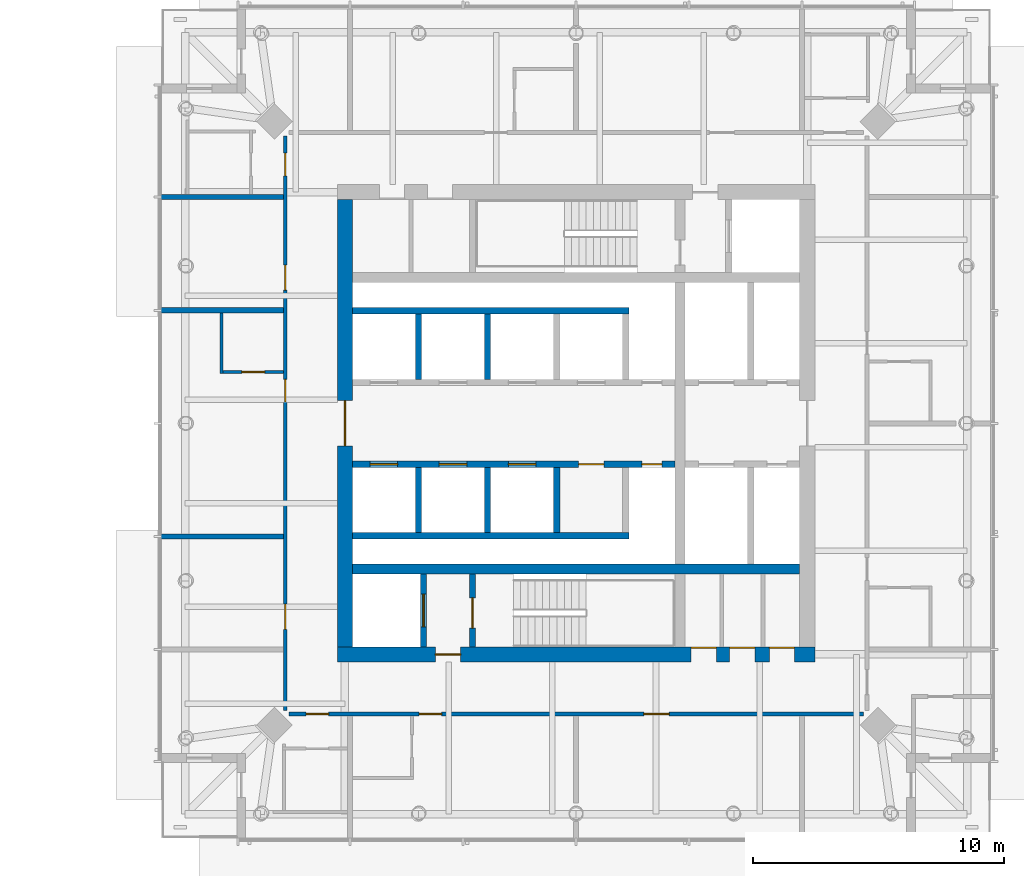
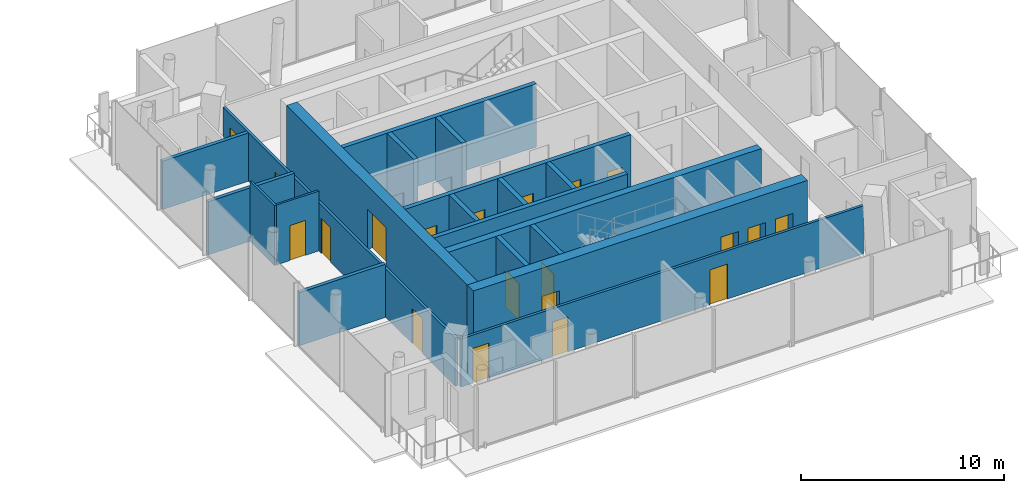
# One storey, part 13 of 20: 20 doors, 20 walls, 20 openings.
"""IFC4 building model written with IfcOpenShell, lengths in metres."""

from ifc_helpers import new_model, si_unit, direction, frame, frame_2d, origin, place, context, subcontext, project, spatial, rectangle, extrude, material, layer, layer_set, type_object, element, fill, save


model = new_model("IFC4")

# Units and contexts
model_context = context("Model", 3, precision=1e-05, world=origin(), true_north=direction((0.0, 1.0)))
body_context = subcontext(model_context, "Body", "Model", "MODEL_VIEW")
ifc_project = project(units=[si_unit("LENGTHUNIT", "METRE"), si_unit("AREAUNIT", "SQUARE_METRE"), si_unit("VOLUMEUNIT", "CUBIC_METRE"), si_unit("PLANEANGLEUNIT", "RADIAN"), si_unit("MASSUNIT", "GRAM", prefix="KILO")], contexts=[model_context])

# Site, building, storey
site_placement = place(None, origin())
site = spatial("IfcSite", under=ifc_project, at=site_placement, CompositionType="ELEMENT")
building_placement = place(site_placement, origin())
building = spatial("IfcBuilding", under=site, at=building_placement, Name="Ostroluk Exchange", CompositionType="ELEMENT")
storey_placement = place(building_placement, frame((0.0, 0.0, 100.800048828125)))
storey = spatial("IfcBuildingStorey", under=building, at=storey_placement, Name="L25", CompositionType="ELEMENT", Elevation=100.800048828125)

# Wall
ifc_material_1 = material(Name="Concrete C50/60", Category="concrete")
ifc_layer_1 = layer(ifc_material_1, 0.39990234375)
ifc_layer_set_1 = layer_set([ifc_layer_1], Name="Core cross wall 400 C50/60")
wall_type_1 = type_object("IfcWallType", Name="Core cross wall 400 C50/60", PredefinedType="SHEAR", material=ifc_layer_set_1)
wall_1_placement = place(storey_placement, frame((108.10009765625, 40.199951171875, 0.0), z_axis=(0.0, 0.0, 1.0), x_axis=(1.0, 0.0, 0.0)))
element("IfcWall", 1, at=wall_1_placement, inside=storey, type_object=wall_type_1, Name="T2 core wall XS", PredefinedType="SHEAR", context=body_context, shape_type="SweptSolid", body=[
    extrude(rectangle(XDim=17.7998046875, YDim=0.39990234375, at=frame_2d((8.89990234375, 0.0))), origin(), (0.0, 0.0, 1.0), 3.800048828125),
])

# Wall, opening, door
ifc_material_2 = material(Name="Concrete C40/50", Category="concrete")
ifc_layer_2 = layer(ifc_material_2, 0.25)
ifc_layer_set_2 = layer_set([ifc_layer_2], Name="Core shaft wall 250")
wall_type_2 = type_object("IfcWallType", Name="Core shaft wall 250", PredefinedType="SHEAR", material=ifc_layer_set_2)
wall_2_placement = place(storey_placement, frame((110.925048828125, 37.10009765625, 0.0), z_axis=(0.0, 0.0, 1.0), x_axis=(0.0, 1.0, 0.0)))
wall_2 = element("IfcWall", 2, at=wall_2_placement, inside=storey, type_object=wall_type_2, Name="Firefighting lift shaft wall", PredefinedType="SHEAR", context=body_context, shape_type="SweptSolid", body=[
    extrude(rectangle(XDim=2.89990234375, YDim=0.25, at=frame_2d((1.449951171875, 0.0))), origin(), (0.0, 0.0, 1.0), 3.800048828125),
])
opening_1_placement = place(wall_2_placement, frame((0.800048828125, 0.0, 0.0)))
opening_1 = element("IfcOpeningElement", 3, at=opening_1_placement, cuts=wall_2, Name="Opening LD2", PredefinedType="OPENING", context=body_context, shape_type="SweptSolid", body=[
    extrude(rectangle(XDim=1.300048828125, YDim=2.199951171875, at=frame_2d((0.64990234375, 1.10009765625))), frame((0.0, 0.135009765625, 0.0), z_axis=(0.0, -1.0, 0.0), x_axis=(1.0, 0.0, 0.0)), (0.0, 0.0, 1.0), 0.27001953125),
])
ifc_material_3 = material(Name="Stainless steel", Category="steel")
door_type_1 = type_object("IfcDoorType", Name="Lift landing door E 60 1300 x 2200", OperationType="DOUBLE_DOOR_SLIDING", PredefinedType="DOOR", material=ifc_material_3)
door_1_placement = place(opening_1_placement, origin())
door_1 = element("IfcDoor", 4, at=door_1_placement, inside=storey, type_object=door_type_1, Name="Lift HF1 landing door", OperationType="DOUBLE_DOOR_SLIDING", OverallHeight=2.199951171875, OverallWidth=1.300048828125, PredefinedType="DOOR", context=body_context, shape_type="SweptSolid", body=[
    extrude(rectangle(XDim=1.300048828125, YDim=2.199951171875, at=frame_2d((0.64990234375, 1.10009765625))), frame((0.0, 0.02490234375, 0.0), z_axis=(0.0, -1.0, 0.0), x_axis=(1.0, 0.0, 0.0)), (0.0, 0.0, 1.0), 0.050048828125),
])
fill(opening_1, door_1)

wall_3_placement = place(storey_placement, frame((112.875, 37.10009765625, 0.0), z_axis=(0.0, 0.0, 1.0), x_axis=(0.0, 1.0, 0.0)))
wall_3 = element("IfcWall", 5, at=wall_3_placement, inside=storey, type_object=wall_type_2, Name="Stair shaft wall", PredefinedType="SHEAR", context=body_context, shape_type="SweptSolid", body=[
    extrude(rectangle(XDim=2.89990234375, YDim=0.25, at=frame_2d((1.449951171875, 0.0))), origin(), (0.0, 0.0, 1.0), 3.800048828125),
])
opening_2_placement = place(wall_3_placement, frame((0.75, 0.0, 0.0)))
opening_2 = element("IfcOpeningElement", 6, at=opening_2_placement, cuts=wall_3, Name="Opening FD60S", PredefinedType="OPENING", context=body_context, shape_type="SweptSolid", body=[
    extrude(rectangle(XDim=1.199951171875, YDim=2.10009765625, at=frame_2d((0.60009765625, 1.050048828125))), frame((0.0, 0.135009765625, 0.0), z_axis=(0.0, -1.0, 0.0), x_axis=(1.0, 0.0, 0.0)), (0.0, 0.0, 1.0), 0.27001953125),
])
ifc_material_4 = material(Name="Steel", Category="steel")
door_type_2 = type_object("IfcDoorType", Name="Stair door EI 60 1200 x 2100", OperationType="SINGLE_SWING_LEFT", PredefinedType="DOOR", material=ifc_material_4)
door_2_placement = place(opening_2_placement, origin())
door_2 = element("IfcDoor", 7, at=door_2_placement, inside=storey, type_object=door_type_2, Name="Stair T2-S1 door", OperationType="SINGLE_SWING_LEFT", OverallHeight=2.10009765625, OverallWidth=1.199951171875, PredefinedType="DOOR", context=body_context, shape_type="SweptSolid", body=[
    extrude(rectangle(XDim=1.199951171875, YDim=2.10009765625, at=frame_2d((0.60009765625, 1.050048828125))), frame((0.0, 0.02490234375, 0.0), z_axis=(0.0, -1.0, 0.0), x_axis=(1.0, 0.0, 0.0)), (0.0, 0.0, 1.0), 0.050048828125),
])
fill(opening_2, door_2)

# Walls
for number, where, z_axis, x_axis, name in (
    (8, (110.72509765625, 47.75, 0.0), (0.0, 0.0, 1.0), (0.0, 1.0, 0.0), "Lift shaft wall"),
    (9, (113.47509765625, 47.75, 0.0), (0.0, 0.0, 1.0), (0.0, 1.0, 0.0), "Lift shaft wall"),
):
    element("IfcWall", number, at=place(storey_placement, frame(where, z_axis=z_axis, x_axis=x_axis)), inside=storey, type_object=wall_type_2, Name=name, PredefinedType="SHEAR", context=body_context, shape_type="SweptSolid", body=[
        extrude(rectangle(XDim=2.60009765625, YDim=0.25, at=frame_2d((1.300048828125, 0.0))), origin(), (0.0, 0.0, 1.0), 3.800048828125),
    ])
wall_4_placement = place(storey_placement, frame((108.10009765625, 50.47509765625, 0.0), z_axis=(0.0, 0.0, 1.0), x_axis=(1.0, 0.0, 0.0)))
element("IfcWall", 10, at=wall_4_placement, inside=storey, type_object=wall_type_2, Name="Lift shaft wall", PredefinedType="SHEAR", context=body_context, shape_type="SweptSolid", body=[
    extrude(rectangle(XDim=11.0, YDim=0.25, at=frame_2d((5.5, 0.0))), origin(), (0.0, 0.0, 1.0), 3.800048828125),
])
for number, where, z_axis, x_axis, name in (
    (11, (110.72509765625, 44.25, 0.0), (0.0, 0.0, 1.0), (0.0, -1.0, 0.0), "Lift shaft wall"),
    (12, (113.47509765625, 44.25, 0.0), (0.0, 0.0, 1.0), (0.0, -1.0, 0.0), "Lift shaft wall"),
    (13, (116.22509765625, 44.25, 0.0), (0.0, 0.0, 1.0), (0.0, -1.0, 0.0), "Lift shaft wall"),
):
    element("IfcWall", number, at=place(storey_placement, frame(where, z_axis=z_axis, x_axis=x_axis)), inside=storey, type_object=wall_type_2, Name=name, PredefinedType="SHEAR", context=body_context, shape_type="SweptSolid", body=[
        extrude(rectangle(XDim=2.60009765625, YDim=0.25, at=frame_2d((1.300048828125, 0.0))), origin(), (0.0, 0.0, 1.0), 3.800048828125),
    ])
wall_5_placement = place(storey_placement, frame((108.10009765625, 41.52490234375, 0.0), z_axis=(0.0, 0.0, 1.0), x_axis=(1.0, 0.0, 0.0)))
element("IfcWall", 14, at=wall_5_placement, inside=storey, type_object=wall_type_2, Name="Lift shaft wall", PredefinedType="SHEAR", context=body_context, shape_type="SweptSolid", body=[
    extrude(rectangle(XDim=11.0, YDim=0.25, at=frame_2d((5.5, 0.0))), origin(), (0.0, 0.0, 1.0), 3.800048828125),
])

# Wall, openings, doors
wall_6_placement = place(storey_placement, frame((108.10009765625, 44.375, 0.0), z_axis=(0.0, 0.0, 1.0), x_axis=(1.0, 0.0, 0.0)))
wall_6 = element("IfcWall", 15, at=wall_6_placement, inside=storey, type_object=wall_type_2, Name="Lift shaft front wall", PredefinedType="SHEAR", context=body_context, shape_type="SweptSolid", body=[
    extrude(rectangle(XDim=12.829833984375, YDim=0.25, at=frame_2d((6.4150390625, 0.0))), origin(), (0.0, 0.0, 1.0), 3.800048828125),
])
opening_3_placement = place(wall_6_placement, frame((0.699951171875, 0.0, 0.0)))
opening_3 = element("IfcOpeningElement", 16, at=opening_3_placement, cuts=wall_6, Name="Opening LD", PredefinedType="OPENING", context=body_context, shape_type="SweptSolid", body=[
    extrude(rectangle(XDim=1.10009765625, YDim=2.199951171875, at=frame_2d((0.550048828125, 1.10009765625))), frame((0.0, 0.135009765625, 0.0), z_axis=(0.0, -1.0, 0.0), x_axis=(1.0, 0.0, 0.0)), (0.0, 0.0, 1.0), 0.27001953125),
])
opening_4_placement = place(wall_6_placement, frame((3.449951171875, 0.0, 0.0)))
opening_4 = element("IfcOpeningElement", 17, at=opening_4_placement, cuts=wall_6, Name="Opening LD", PredefinedType="OPENING", context=body_context, shape_type="SweptSolid", body=[
    extrude(rectangle(XDim=1.10009765625, YDim=2.199951171875, at=frame_2d((0.550048828125, 1.10009765625))), frame((0.0, 0.135009765625, 0.0), z_axis=(0.0, -1.0, 0.0), x_axis=(1.0, 0.0, 0.0)), (0.0, 0.0, 1.0), 0.27001953125),
])
opening_5_placement = place(wall_6_placement, frame((6.199951171875, 0.0, 0.0)))
opening_5 = element("IfcOpeningElement", 18, at=opening_5_placement, cuts=wall_6, Name="Opening LD", PredefinedType="OPENING", context=body_context, shape_type="SweptSolid", body=[
    extrude(rectangle(XDim=1.10009765625, YDim=2.199951171875, at=frame_2d((0.550048828125, 1.10009765625))), frame((0.0, 0.135009765625, 0.0), z_axis=(0.0, -1.0, 0.0), x_axis=(1.0, 0.0, 0.0)), (0.0, 0.0, 1.0), 0.27001953125),
])
opening_6_placement = place(wall_6_placement, frame((9.0, 0.0, 0.0)))
opening_6 = element("IfcOpeningElement", 19, at=opening_6_placement, cuts=wall_6, Name="Opening FD60", PredefinedType="OPENING", context=body_context, shape_type="SweptSolid", body=[
    extrude(rectangle(XDim=1.0, YDim=2.10009765625, at=frame_2d((0.5, 1.050048828125))), frame((0.0, 0.135009765625, 0.0), z_axis=(0.0, -1.0, 0.0), x_axis=(1.0, 0.0, 0.0)), (0.0, 0.0, 1.0), 0.27001953125),
])
opening_7_placement = place(wall_6_placement, frame((11.514892578125, 0.0, 0.0)))
opening_7 = element("IfcOpeningElement", 20, at=opening_7_placement, cuts=wall_6, Name="Opening RD60", PredefinedType="OPENING", context=body_context, shape_type="SweptSolid", body=[
    extrude(rectangle(XDim=0.800048828125, YDim=2.0, at=frame_2d((0.39990234375, 1.0))), frame((0.0, 0.135009765625, 0.0), z_axis=(0.0, -1.0, 0.0), x_axis=(1.0, 0.0, 0.0)), (0.0, 0.0, 1.0), 0.27001953125),
])
ifc_material_5 = material(Name="Steel", Category="steel")
door_type_3 = type_object("IfcDoorType", Name="Fire door EI 60 1000 x 2100", OperationType="SINGLE_SWING_LEFT", PredefinedType="DOOR", material=ifc_material_5)
door_3_placement = place(opening_6_placement, origin())
door_3 = element("IfcDoor", 21, at=door_3_placement, inside=storey, type_object=door_type_3, Name="Core room door", OperationType="SINGLE_SWING_RIGHT", OverallHeight=2.10009765625, OverallWidth=1.0, PredefinedType="DOOR", context=body_context, shape_type="SweptSolid", body=[
    extrude(rectangle(XDim=1.0, YDim=2.10009765625, at=frame_2d((0.5, 1.050048828125))), frame((0.0, 0.02490234375, 0.0), z_axis=(0.0, -1.0, 0.0), x_axis=(1.0, 0.0, 0.0)), (0.0, 0.0, 1.0), 0.050048828125),
])
fill(opening_6, door_3)
ifc_material_6 = material(Name="Stainless steel", Category="steel")
door_type_4 = type_object("IfcDoorType", Name="Lift landing door E 60 1100 x 2200", OperationType="DOUBLE_DOOR_SLIDING", PredefinedType="DOOR", material=ifc_material_6)
door_4_placement = place(opening_3_placement, origin())
door_4 = element("IfcDoor", 22, at=door_4_placement, inside=storey, type_object=door_type_4, Name="Lift HL5 landing door", OperationType="DOUBLE_DOOR_SLIDING", OverallHeight=2.199951171875, OverallWidth=1.10009765625, PredefinedType="DOOR", context=body_context, shape_type="SweptSolid", body=[
    extrude(rectangle(XDim=1.10009765625, YDim=2.199951171875, at=frame_2d((0.550048828125, 1.10009765625))), frame((0.0, 0.02490234375, 0.0), z_axis=(0.0, -1.0, 0.0), x_axis=(1.0, 0.0, 0.0)), (0.0, 0.0, 1.0), 0.050048828125),
])
fill(opening_3, door_4)
door_5_placement = place(opening_4_placement, origin())
door_5 = element("IfcDoor", 23, at=door_5_placement, inside=storey, type_object=door_type_4, Name="Lift HL6 landing door", OperationType="DOUBLE_DOOR_SLIDING", OverallHeight=2.199951171875, OverallWidth=1.10009765625, PredefinedType="DOOR", context=body_context, shape_type="SweptSolid", body=[
    extrude(rectangle(XDim=1.10009765625, YDim=2.199951171875, at=frame_2d((0.550048828125, 1.10009765625))), frame((0.0, 0.02490234375, 0.0), z_axis=(0.0, -1.0, 0.0), x_axis=(1.0, 0.0, 0.0)), (0.0, 0.0, 1.0), 0.050048828125),
])
fill(opening_4, door_5)
door_6_placement = place(opening_5_placement, origin())
door_6 = element("IfcDoor", 24, at=door_6_placement, inside=storey, type_object=door_type_4, Name="Lift HL7 landing door", OperationType="DOUBLE_DOOR_SLIDING", OverallHeight=2.199951171875, OverallWidth=1.10009765625, PredefinedType="DOOR", context=body_context, shape_type="SweptSolid", body=[
    extrude(rectangle(XDim=1.10009765625, YDim=2.199951171875, at=frame_2d((0.550048828125, 1.10009765625))), frame((0.0, 0.02490234375, 0.0), z_axis=(0.0, -1.0, 0.0), x_axis=(1.0, 0.0, 0.0)), (0.0, 0.0, 1.0), 0.050048828125),
])
fill(opening_5, door_6)
ifc_material_7 = material(Name="Steel", Category="steel")
door_type_5 = type_object("IfcDoorType", Name="Riser access door EI 60 800 x 2000", OperationType="SINGLE_SWING_LEFT", PredefinedType="DOOR", material=ifc_material_7)
door_7_placement = place(opening_7_placement, origin())
door_7 = element("IfcDoor", 25, at=door_7_placement, inside=storey, type_object=door_type_5, Name="Riser access door", OperationType="SINGLE_SWING_RIGHT", OverallHeight=2.0, OverallWidth=0.800048828125, PredefinedType="DOOR", context=body_context, shape_type="SweptSolid", body=[
    extrude(rectangle(XDim=0.800048828125, YDim=2.0, at=frame_2d((0.39990234375, 1.0))), frame((0.0, 0.02490234375, 0.0), z_axis=(0.0, -1.0, 0.0), x_axis=(1.0, 0.0, 0.0)), (0.0, 0.0, 1.0), 0.050048828125),
])
fill(opening_7, door_7)

ifc_material_8 = material(Name="Concrete C50/60", Category="concrete")
ifc_layer_3 = layer(ifc_material_8, 0.60009765625)
ifc_layer_set_3 = layer_set([ifc_layer_3], Name="Core wall 600 C50/60")
wall_type_3 = type_object("IfcWallType", Name="Core wall 600 C50/60", PredefinedType="SHEAR", material=ifc_layer_set_3)
wall_7_placement = place(storey_placement, frame((107.5, 36.800048828125, 0.0), z_axis=(0.0, 0.0, 1.0), x_axis=(1.0, 0.0, 0.0)))
wall_7 = element("IfcWall", 26, at=wall_7_placement, inside=storey, type_object=wall_type_3, Name="T2 core wall S", PredefinedType="SHEAR", context=body_context, shape_type="SweptSolid", body=[
    extrude(rectangle(XDim=19.0, YDim=0.60009765625, at=frame_2d((9.5, 0.0))), origin(), (0.0, 0.0, 1.0), 3.800048828125),
])
opening_8_placement = place(wall_7_placement, frame((3.89990234375, 0.0, 0.0)))
opening_8 = element("IfcOpeningElement", 27, at=opening_8_placement, cuts=wall_7, Name="Opening FD60", PredefinedType="OPENING", context=body_context, shape_type="SweptSolid", body=[
    extrude(rectangle(XDim=1.0, YDim=2.10009765625, at=frame_2d((0.5, 1.050048828125))), frame((0.0, 0.31005859375, 0.0), z_axis=(0.0, -1.0, 0.0), x_axis=(1.0, 0.0, 0.0)), (0.0, 0.0, 1.0), 0.6201171875),
])
opening_9_placement = place(wall_7_placement, frame((14.080078125, 0.0, 0.0)))
opening_9 = element("IfcOpeningElement", 28, at=opening_9_placement, cuts=wall_7, Name="Opening FD60", PredefinedType="OPENING", context=body_context, shape_type="SweptSolid", body=[
    extrude(rectangle(XDim=1.0, YDim=2.10009765625, at=frame_2d((0.5, 1.050048828125))), frame((0.0, 0.31005859375, 0.0), z_axis=(0.0, -1.0, 0.0), x_axis=(1.0, 0.0, 0.0)), (0.0, 0.0, 1.0), 0.6201171875),
])
opening_10_placement = place(wall_7_placement, frame((15.614990234375, 0.0, 0.0)))
opening_10 = element("IfcOpeningElement", 29, at=opening_10_placement, cuts=wall_7, Name="Opening FD60", PredefinedType="OPENING", context=body_context, shape_type="SweptSolid", body=[
    extrude(rectangle(XDim=1.0, YDim=2.10009765625, at=frame_2d((0.5, 1.050048828125))), frame((0.0, 0.31005859375, 0.0), z_axis=(0.0, -1.0, 0.0), x_axis=(1.0, 0.0, 0.0)), (0.0, 0.0, 1.0), 0.6201171875),
])
opening_11_placement = place(wall_7_placement, frame((17.1875, 0.0, 0.0)))
opening_11 = element("IfcOpeningElement", 30, at=opening_11_placement, cuts=wall_7, Name="Opening FD60", PredefinedType="OPENING", context=body_context, shape_type="SweptSolid", body=[
    extrude(rectangle(XDim=1.0, YDim=2.10009765625, at=frame_2d((0.5, 1.050048828125))), frame((0.0, 0.31005859375, 0.0), z_axis=(0.0, -1.0, 0.0), x_axis=(1.0, 0.0, 0.0)), (0.0, 0.0, 1.0), 0.6201171875),
])
door_8_placement = place(opening_8_placement, origin())
door_8 = element("IfcDoor", 31, at=door_8_placement, inside=storey, type_object=door_type_3, Name="Firefighting lobby door", OperationType="SINGLE_SWING_LEFT", OverallHeight=2.10009765625, OverallWidth=1.0, PredefinedType="DOOR", context=body_context, shape_type="SweptSolid", body=[
    extrude(rectangle(XDim=1.0, YDim=2.10009765625, at=frame_2d((0.5, 1.050048828125))), frame((0.0, 0.02490234375, 0.0), z_axis=(0.0, -1.0, 0.0), x_axis=(1.0, 0.0, 0.0)), (0.0, 0.0, 1.0), 0.050048828125),
])
fill(opening_8, door_8)
door_9_placement = place(opening_9_placement, origin())
door_9 = element("IfcDoor", 32, at=door_9_placement, inside=storey, type_object=door_type_3, Name="Linen store door", OperationType="SINGLE_SWING_RIGHT", OverallHeight=2.10009765625, OverallWidth=1.0, PredefinedType="DOOR", context=body_context, shape_type="SweptSolid", body=[
    extrude(rectangle(XDim=1.0, YDim=2.10009765625, at=frame_2d((0.5, 1.050048828125))), frame((0.0, 0.2900390625, 0.0), z_axis=(0.0, -1.0, 0.0), x_axis=(1.0, 0.0, 0.0)), (0.0, 0.0, 1.0), 0.050048828125),
])
fill(opening_9, door_9)
door_10_placement = place(opening_10_placement, origin())
door_10 = element("IfcDoor", 33, at=door_10_placement, inside=storey, type_object=door_type_3, Name="Housekeeping store door", OperationType="SINGLE_SWING_RIGHT", OverallHeight=2.10009765625, OverallWidth=1.0, PredefinedType="DOOR", context=body_context, shape_type="SweptSolid", body=[
    extrude(rectangle(XDim=1.0, YDim=2.10009765625, at=frame_2d((0.5, 1.050048828125))), frame((0.0, 0.2900390625, 0.0), z_axis=(0.0, -1.0, 0.0), x_axis=(1.0, 0.0, 0.0)), (0.0, 0.0, 1.0), 0.050048828125),
])
fill(opening_10, door_10)
door_11_placement = place(opening_11_placement, origin())
door_11 = element("IfcDoor", 34, at=door_11_placement, inside=storey, type_object=door_type_3, Name="Luggage store door", OperationType="SINGLE_SWING_RIGHT", OverallHeight=2.10009765625, OverallWidth=1.0, PredefinedType="DOOR", context=body_context, shape_type="SweptSolid", body=[
    extrude(rectangle(XDim=1.0, YDim=2.10009765625, at=frame_2d((0.5, 1.050048828125))), frame((0.0, 0.2900390625, 0.0), z_axis=(0.0, -1.0, 0.0), x_axis=(1.0, 0.0, 0.0)), (0.0, 0.0, 1.0), 0.050048828125),
])
fill(opening_11, door_11)

# Wall, opening, door
wall_8_placement = place(storey_placement, frame((107.800048828125, 37.10009765625, 0.0), z_axis=(0.0, 0.0, 1.0), x_axis=(0.0, 1.0, 0.0)))
wall_8 = element("IfcWall", 35, at=wall_8_placement, inside=storey, type_object=wall_type_3, Name="T2 core wall W", PredefinedType="SHEAR", context=body_context, shape_type="SweptSolid", body=[
    extrude(rectangle(XDim=17.7998046875, YDim=0.60009765625, at=frame_2d((8.89990234375, 0.0))), origin(), (0.0, 0.0, 1.0), 3.800048828125),
])
opening_12_placement = place(wall_8_placement, frame((8.0, 0.0, 0.0)))
opening_12 = element("IfcOpeningElement", 36, at=opening_12_placement, cuts=wall_8, Name="Opening FD30D", PredefinedType="OPENING", context=body_context, shape_type="SweptSolid", body=[
    extrude(rectangle(XDim=1.800048828125, YDim=2.39990234375, at=frame_2d((0.89990234375, 1.199951171875))), frame((0.0, 0.31005859375, 0.0), z_axis=(0.0, -1.0, 0.0), x_axis=(1.0, 0.0, 0.0)), (0.0, 0.0, 1.0), 0.6201171875),
])
ifc_material_9 = material(Name="Timber", Category="wood")
door_type_6 = type_object("IfcDoorType", Name="Lobby double door EI 30 1800 x 2400", OperationType="DOUBLE_DOOR_SINGLE_SWING", PredefinedType="DOOR", material=ifc_material_9)
door_12_placement = place(opening_12_placement, origin())
door_12 = element("IfcDoor", 37, at=door_12_placement, inside=storey, type_object=door_type_6, Name="Lift lobby doors", OperationType="DOUBLE_DOOR_SINGLE_SWING", OverallHeight=2.39990234375, OverallWidth=1.800048828125, PredefinedType="DOOR", context=body_context, shape_type="SweptSolid", body=[
    extrude(rectangle(XDim=1.800048828125, YDim=2.39990234375, at=frame_2d((0.89990234375, 1.199951171875))), frame((0.0, 0.02490234375, 0.0), z_axis=(0.0, -1.0, 0.0), x_axis=(1.0, 0.0, 0.0)), (0.0, 0.0, 1.0), 0.050048828125),
])
fill(opening_12, door_12)

# Wall
ifc_material_10 = material(Name="Gypsum plasterboard partition, moisture resistant", Category="gypsum")
ifc_layer_4 = layer(ifc_material_10, 0.1201171875)
ifc_layer_set_4 = layer_set([ifc_layer_4], Name="Plasterboard en-suite wall 120")
wall_type_4 = type_object("IfcWallType", Name="Plasterboard en-suite wall 120", PredefinedType="PARTITIONING", material=ifc_layer_set_4)
wall_9_placement = place(storey_placement, frame((102.889892578125, 50.39990234375, 0.0), z_axis=(0.0, 0.0, 1.0), x_axis=(0.0, -1.0, 0.0)))
element("IfcWall", 38, at=wall_9_placement, inside=storey, type_object=wall_type_4, Name="En-suite wall", PredefinedType="PARTITIONING", context=body_context, shape_type="SweptSolid", body=[
    extrude(rectangle(XDim=2.419921875, YDim=0.1201171875, at=frame_2d((1.2099609375, 0.0))), origin(), (0.0, 0.0, 1.0), 3.599853515625),
])

# Wall, opening, door
wall_10_placement = place(storey_placement, frame((105.35009765625, 48.0400390625, 0.0), z_axis=(0.0, 0.0, 1.0), x_axis=(-1.0, 0.0, 0.0)))
wall_10 = element("IfcWall", 39, at=wall_10_placement, inside=storey, type_object=wall_type_4, Name="En-suite wall", PredefinedType="PARTITIONING", context=body_context, shape_type="SweptSolid", body=[
    extrude(rectangle(XDim=2.400146484375, YDim=0.1201171875, at=frame_2d((1.2001953125, 0.0))), origin(), (0.0, 0.0, 1.0), 3.599853515625),
])
opening_13_placement = place(wall_10_placement, frame((0.75, 0.0, 0.0)))
opening_13 = element("IfcOpeningElement", 40, at=opening_13_placement, cuts=wall_10, Name="Opening D-02", PredefinedType="OPENING", context=body_context, shape_type="SweptSolid", body=[
    extrude(rectangle(XDim=0.89990234375, YDim=2.10009765625, at=frame_2d((0.449951171875, 1.050048828125))), frame((0.0, 0.070068359375, 0.0), z_axis=(0.0, -1.0, 0.0), x_axis=(1.0, 0.0, 0.0)), (0.0, 0.0, 1.0), 0.14013671875),
])
ifc_material_11 = material(Name="Timber", Category="wood")
door_type_7 = type_object("IfcDoorType", Name="En-suite door 900 x 2100", OperationType="SINGLE_SWING_LEFT", PredefinedType="DOOR", material=ifc_material_11)
door_13_placement = place(opening_13_placement, origin())
door_13 = element("IfcDoor", 41, at=door_13_placement, inside=storey, type_object=door_type_7, Name="En-suite door 2506", OperationType="SINGLE_SWING_RIGHT", OverallHeight=2.10009765625, OverallWidth=0.89990234375, PredefinedType="DOOR", context=body_context, shape_type="SweptSolid", body=[
    extrude(rectangle(XDim=0.89990234375, YDim=2.10009765625, at=frame_2d((0.449951171875, 1.050048828125))), frame((0.0, 0.02490234375, 0.0), z_axis=(0.0, -1.0, 0.0), x_axis=(1.0, 0.0, 0.0)), (0.0, 0.0, 1.0), 0.050048828125),
])
fill(opening_13, door_13)

# Wall, openings, doors
ifc_material_12 = material(Name="Gypsum plasterboard partition", Category="gypsum")
ifc_layer_5 = layer(ifc_material_12, 0.14990234375)
ifc_layer_set_5 = layer_set([ifc_layer_5], Name="Plasterboard partition 150")
wall_type_5 = type_object("IfcWallType", Name="Plasterboard partition 150", PredefinedType="PARTITIONING", material=ifc_layer_set_5)
wall_11_placement = place(storey_placement, frame((105.425048828125, 57.43603515625, 0.0), z_axis=(0.0, 0.0, 1.0), x_axis=(0.0, -1.0, 0.0)))
wall_11 = element("IfcWall", 42, at=wall_11_placement, inside=storey, type_object=wall_type_5, Name="Corridor wall", PredefinedType="PARTITIONING", context=body_context, shape_type="SweptSolid", body=[
    extrude(rectangle(XDim=22.8720703125, YDim=0.14990234375, at=frame_2d((11.43603515625, 0.0))), origin(), (0.0, 0.0, 1.0), 2.89990234375),
])
opening_14_placement = place(wall_11_placement, frame((0.68603515625, 0.0, 0.0)))
opening_14 = element("IfcOpeningElement", 43, at=opening_14_placement, cuts=wall_11, Name="Opening D-01", PredefinedType="OPENING", context=body_context, shape_type="SweptSolid", body=[
    extrude(rectangle(XDim=0.89990234375, YDim=2.10009765625, at=frame_2d((0.449951171875, 1.050048828125))), frame((0.0, 0.0849609375, 0.0), z_axis=(0.0, -1.0, 0.0), x_axis=(1.0, 0.0, 0.0)), (0.0, 0.0, 1.0), 0.169921875),
])
opening_15_placement = place(wall_11_placement, frame((5.135986328125, 0.0, 0.0)))
opening_15 = element("IfcOpeningElement", 44, at=opening_15_placement, cuts=wall_11, Name="Opening D-03", PredefinedType="OPENING", context=body_context, shape_type="SweptSolid", body=[
    extrude(rectangle(XDim=1.0, YDim=2.10009765625, at=frame_2d((0.5, 1.050048828125))), frame((0.0, 0.0849609375, 0.0), z_axis=(0.0, -1.0, 0.0), x_axis=(1.0, 0.0, 0.0)), (0.0, 0.0, 1.0), 0.169921875),
])
opening_16_placement = place(wall_11_placement, frame((9.68603515625, 0.0, 0.0)))
opening_16 = element("IfcOpeningElement", 45, at=opening_16_placement, cuts=wall_11, Name="Opening D-01", PredefinedType="OPENING", context=body_context, shape_type="SweptSolid", body=[
    extrude(rectangle(XDim=0.89990234375, YDim=2.10009765625, at=frame_2d((0.449951171875, 1.050048828125))), frame((0.0, 0.0849609375, 0.0), z_axis=(0.0, -1.0, 0.0), x_axis=(1.0, 0.0, 0.0)), (0.0, 0.0, 1.0), 0.169921875),
])
opening_17_placement = place(wall_11_placement, frame((18.635986328125, 0.0, 0.0)))
opening_17 = element("IfcOpeningElement", 46, at=opening_17_placement, cuts=wall_11, Name="Opening D-03", PredefinedType="OPENING", context=body_context, shape_type="SweptSolid", body=[
    extrude(rectangle(XDim=1.0, YDim=2.10009765625, at=frame_2d((0.5, 1.050048828125))), frame((0.0, 0.0849609375, 0.0), z_axis=(0.0, -1.0, 0.0), x_axis=(1.0, 0.0, 0.0)), (0.0, 0.0, 1.0), 0.169921875),
])
ifc_material_13 = material(Name="Timber", Category="wood")
door_type_8 = type_object("IfcDoorType", Name="Hotel room door EI 30 Sa 900 x 2100", OperationType="SINGLE_SWING_LEFT", PredefinedType="DOOR", material=ifc_material_13)
door_14_placement = place(opening_14_placement, origin())
door_14 = element("IfcDoor", 47, at=door_14_placement, inside=storey, type_object=door_type_8, Name="Room door 2505", OperationType="SINGLE_SWING_LEFT", OverallHeight=2.10009765625, OverallWidth=0.89990234375, PredefinedType="DOOR", context=body_context, shape_type="SweptSolid", body=[
    extrude(rectangle(XDim=0.89990234375, YDim=2.10009765625, at=frame_2d((0.449951171875, 1.050048828125))), frame((0.0, 0.02490234375, 0.0), z_axis=(0.0, -1.0, 0.0), x_axis=(1.0, 0.0, 0.0)), (0.0, 0.0, 1.0), 0.050048828125),
])
fill(opening_14, door_14)
door_15_placement = place(opening_16_placement, origin())
door_15 = element("IfcDoor", 48, at=door_15_placement, inside=storey, type_object=door_type_8, Name="Room door 2506", OperationType="SINGLE_SWING_LEFT", OverallHeight=2.10009765625, OverallWidth=0.89990234375, PredefinedType="DOOR", context=body_context, shape_type="SweptSolid", body=[
    extrude(rectangle(XDim=0.89990234375, YDim=2.10009765625, at=frame_2d((0.449951171875, 1.050048828125))), frame((0.0, 0.02490234375, 0.0), z_axis=(0.0, -1.0, 0.0), x_axis=(1.0, 0.0, 0.0)), (0.0, 0.0, 1.0), 0.050048828125),
])
fill(opening_16, door_15)
ifc_material_14 = material(Name="Timber", Category="wood")
door_type_9 = type_object("IfcDoorType", Name="Internal door 1000 x 2100", OperationType="SINGLE_SWING_LEFT", PredefinedType="DOOR", material=ifc_material_14)
door_16_placement = place(opening_15_placement, origin())
door_16 = element("IfcDoor", 49, at=door_16_placement, inside=storey, type_object=door_type_9, Name="Housekeeping store door", OperationType="SINGLE_SWING_LEFT", OverallHeight=2.10009765625, OverallWidth=1.0, PredefinedType="DOOR", context=body_context, shape_type="SweptSolid", body=[
    extrude(rectangle(XDim=1.0, YDim=2.10009765625, at=frame_2d((0.5, 1.050048828125))), frame((0.0, 0.02490234375, 0.0), z_axis=(0.0, -1.0, 0.0), x_axis=(1.0, 0.0, 0.0)), (0.0, 0.0, 1.0), 0.050048828125),
])
fill(opening_15, door_16)
door_17_placement = place(opening_17_placement, origin())
door_17 = element("IfcDoor", 50, at=door_17_placement, inside=storey, type_object=door_type_9, Name="Guest lounge door", OperationType="SINGLE_SWING_RIGHT", OverallHeight=2.10009765625, OverallWidth=1.0, PredefinedType="DOOR", context=body_context, shape_type="SweptSolid", body=[
    extrude(rectangle(XDim=1.0, YDim=2.10009765625, at=frame_2d((0.5, 1.050048828125))), frame((0.0, 0.02490234375, 0.0), z_axis=(0.0, -1.0, 0.0), x_axis=(1.0, 0.0, 0.0)), (0.0, 0.0, 1.0), 0.050048828125),
])
fill(opening_17, door_17)

wall_12_placement = place(storey_placement, frame((105.56396484375, 34.425048828125, 0.0), z_axis=(0.0, 0.0, 1.0), x_axis=(1.0, 0.0, 0.0)))
wall_12 = element("IfcWall", 51, at=wall_12_placement, inside=storey, type_object=wall_type_5, Name="Corridor wall", PredefinedType="PARTITIONING", context=body_context, shape_type="SweptSolid", body=[
    extrude(rectangle(XDim=22.8720703125, YDim=0.14990234375, at=frame_2d((11.43603515625, 0.0))), origin(), (0.0, 0.0, 1.0), 2.89990234375),
])
opening_18_placement = place(wall_12_placement, frame((0.68603515625, 0.0, 0.0)))
opening_18 = element("IfcOpeningElement", 52, at=opening_18_placement, cuts=wall_12, Name="Opening D-01", PredefinedType="OPENING", context=body_context, shape_type="SweptSolid", body=[
    extrude(rectangle(XDim=0.89990234375, YDim=2.10009765625, at=frame_2d((0.449951171875, 1.050048828125))), frame((0.0, 0.0849609375, 0.0), z_axis=(0.0, -1.0, 0.0), x_axis=(1.0, 0.0, 0.0)), (0.0, 0.0, 1.0), 0.169921875),
])
opening_19_placement = place(wall_12_placement, frame((5.18603515625, 0.0, 0.0)))
opening_19 = element("IfcOpeningElement", 53, at=opening_19_placement, cuts=wall_12, Name="Opening D-01", PredefinedType="OPENING", context=body_context, shape_type="SweptSolid", body=[
    extrude(rectangle(XDim=0.89990234375, YDim=2.10009765625, at=frame_2d((0.449951171875, 1.050048828125))), frame((0.0, 0.0849609375, 0.0), z_axis=(0.0, -1.0, 0.0), x_axis=(1.0, 0.0, 0.0)), (0.0, 0.0, 1.0), 0.169921875),
])
opening_20_placement = place(wall_12_placement, frame((14.135986328125, 0.0, 0.0)))
opening_20 = element("IfcOpeningElement", 54, at=opening_20_placement, cuts=wall_12, Name="Opening D-03", PredefinedType="OPENING", context=body_context, shape_type="SweptSolid", body=[
    extrude(rectangle(XDim=1.0, YDim=2.10009765625, at=frame_2d((0.5, 1.050048828125))), frame((0.0, 0.0849609375, 0.0), z_axis=(0.0, -1.0, 0.0), x_axis=(1.0, 0.0, 0.0)), (0.0, 0.0, 1.0), 0.169921875),
])
door_18_placement = place(opening_18_placement, origin())
door_18 = element("IfcDoor", 55, at=door_18_placement, inside=storey, type_object=door_type_8, Name="Room door 2507", OperationType="SINGLE_SWING_LEFT", OverallHeight=2.10009765625, OverallWidth=0.89990234375, PredefinedType="DOOR", context=body_context, shape_type="SweptSolid", body=[
    extrude(rectangle(XDim=0.89990234375, YDim=2.10009765625, at=frame_2d((0.449951171875, 1.050048828125))), frame((0.0, 0.02490234375, 0.0), z_axis=(0.0, -1.0, 0.0), x_axis=(1.0, 0.0, 0.0)), (0.0, 0.0, 1.0), 0.050048828125),
])
fill(opening_18, door_18)
door_19_placement = place(opening_19_placement, origin())
door_19 = element("IfcDoor", 56, at=door_19_placement, inside=storey, type_object=door_type_8, Name="Room door 2508", OperationType="SINGLE_SWING_LEFT", OverallHeight=2.10009765625, OverallWidth=0.89990234375, PredefinedType="DOOR", context=body_context, shape_type="SweptSolid", body=[
    extrude(rectangle(XDim=0.89990234375, YDim=2.10009765625, at=frame_2d((0.449951171875, 1.050048828125))), frame((0.0, 0.02490234375, 0.0), z_axis=(0.0, -1.0, 0.0), x_axis=(1.0, 0.0, 0.0)), (0.0, 0.0, 1.0), 0.050048828125),
])
fill(opening_19, door_19)
door_20_placement = place(opening_20_placement, origin())
door_20 = element("IfcDoor", 57, at=door_20_placement, inside=storey, type_object=door_type_9, Name="Guest lounge door", OperationType="SINGLE_SWING_RIGHT", OverallHeight=2.10009765625, OverallWidth=1.0, PredefinedType="DOOR", context=body_context, shape_type="SweptSolid", body=[
    extrude(rectangle(XDim=1.0, YDim=2.10009765625, at=frame_2d((0.5, 1.050048828125))), frame((0.0, 0.02490234375, 0.0), z_axis=(0.0, -1.0, 0.0), x_axis=(1.0, 0.0, 0.0)), (0.0, 0.0, 1.0), 0.050048828125),
])
fill(opening_20, door_20)

# Walls
ifc_material_15 = material(Name="Gypsum plasterboard partition", Category="gypsum")
ifc_layer_6 = layer(ifc_material_15, 0.199951171875)
ifc_layer_set_6 = layer_set([ifc_layer_6], Name="Plasterboard party wall 200")
wall_type_6 = type_object("IfcWallType", Name="Plasterboard party wall 200", PredefinedType="PARTITIONING", material=ifc_layer_set_6)
wall_13_placement = place(storey_placement, frame((105.35009765625, 55.0, 0.0), z_axis=(0.0, 0.0, 1.0), x_axis=(-1.0, 0.0, 0.0)))
element("IfcWall", 58, at=wall_13_placement, inside=storey, type_object=wall_type_6, Name="Party wall", PredefinedType="PARTITIONING", context=body_context, shape_type="SweptSolid", body=[
    extrude(rectangle(XDim=4.89013671875, YDim=0.199951171875, at=frame_2d((2.445068359375, 0.0))), origin(), (0.0, 0.0, 1.0), 2.89990234375),
])
for number, where, z_axis, x_axis, name in (
    (59, (105.35009765625, 50.5, 0.0), (0.0, 0.0, 1.0), (-1.0, 0.0, 0.0), "Party wall"),
    (60, (105.35009765625, 41.5, 0.0), (0.0, 0.0, 1.0), (-1.0, 0.0, 0.0), "Party wall"),
):
    element("IfcWall", number, at=place(storey_placement, frame(where, z_axis=z_axis, x_axis=x_axis)), inside=storey, type_object=wall_type_6, Name=name, PredefinedType="PARTITIONING", context=body_context, shape_type="SweptSolid", body=[
        extrude(rectangle(XDim=4.89013671875, YDim=0.199951171875, at=frame_2d((2.445068359375, 0.0))), origin(), (0.0, 0.0, 1.0), 3.199951171875),
    ])

save(model, "model.ifc")
